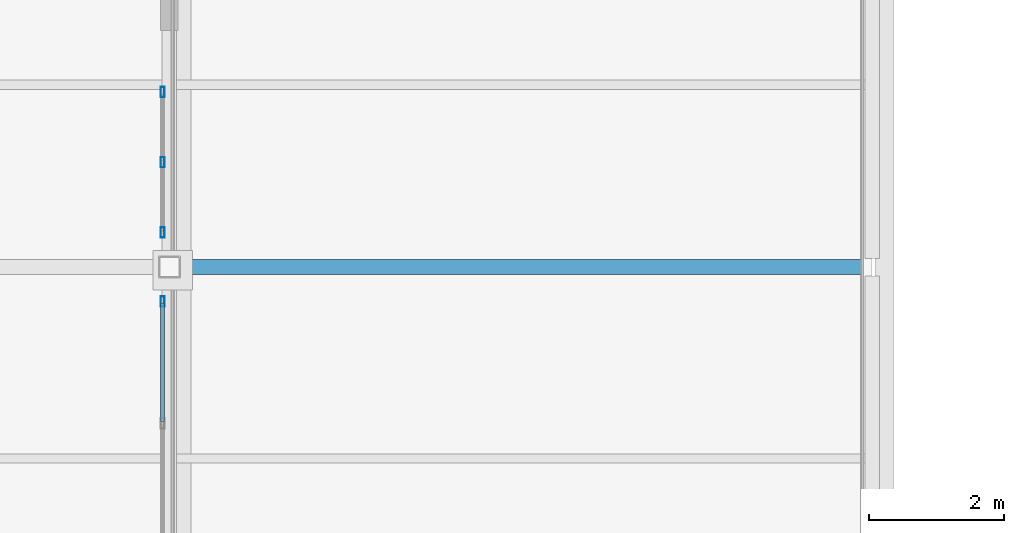
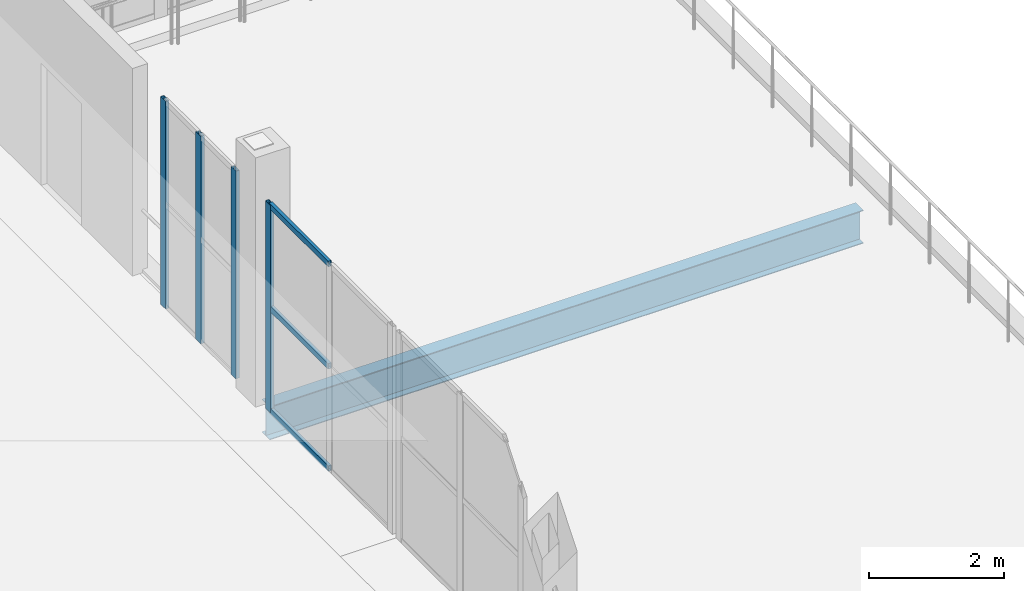
# One storey, part 70 of 156: 7 members, 1 beam, 2 elements without a shape of their own.
"""IFC4 building model written with IfcOpenShell, lengths in metres."""

from ifc_helpers import new_model, si_unit, direction, frame, origin, origin_2d, place, context, subcontext, project, spatial, hollow_rectangle, i_section, extrude, material, material_profile, profile_set, type_object, element, aggregate, save


model = new_model("IFC4")

# Units and contexts
model_context = context("Model", 3, precision=1e-05, world=origin(), true_north=direction((0.0, 1.0)))
body_context = subcontext(model_context, "Body", "Model", "MODEL_VIEW")
ifc_project = project(units=[si_unit("LENGTHUNIT", "METRE"), si_unit("AREAUNIT", "SQUARE_METRE"), si_unit("VOLUMEUNIT", "CUBIC_METRE"), si_unit("PLANEANGLEUNIT", "RADIAN"), si_unit("MASSUNIT", "GRAM", prefix="KILO")], contexts=[model_context])

# Site, building, storey
site_placement = place(None, origin())
site = spatial("IfcSite", under=ifc_project, at=site_placement, CompositionType="ELEMENT")
building_placement = place(site_placement, origin())
building = spatial("IfcBuilding", under=site, at=building_placement, Name="Caurita Quay Ferry Terminal", CompositionType="ELEMENT")
storey_placement = place(building_placement, frame((0.0, 0.0, 5.39990234375)))
storey = spatial("IfcBuildingStorey", under=building, at=storey_placement, Name="L01", CompositionType="ELEMENT", Elevation=5.39990234375)

# Beam
ifc_material_1 = material(Name="Structural steel ASTM A992 Gr. 50", Category="steel")
ifc_material_profile_1 = material_profile(ifc_material_1, i_section(OverallWidth=0.22802734375, OverallDepth=0.60205078125, WebThickness=0.010498046875, FlangeThickness=0.014892578125, at=origin_2d()), Name="W24X68")
ifc_profile_set_1 = profile_set([ifc_material_profile_1], Name="Structural steel ASTM A992 Gr. 50")
beam_type = type_object("IfcBeamType", Name="BM-GR-W24C", PredefinedType="BEAM", material=ifc_profile_set_1)
beam_placement = place(storey_placement, frame((142.929443359375, 25.5, -0.560791015625), z_axis=(1.0, 0.0, 0.0), x_axis=(0.0, 1.0, 0.0)))
element("IfcBeam", 1, at=beam_placement, inside=storey, type_object=beam_type, Name="L01 Beam BM-V3P-L01-X-1429-255", PredefinedType="BEAM", context=body_context, shape_type="SweptSolid", body=[
    extrude(i_section(OverallWidth=0.22802734375, OverallDepth=0.60205078125, WebThickness=0.010498046875, FlangeThickness=0.014892578125, at=origin_2d()), origin(), (0.0, 0.0, 1.0), 10.14111328125),
])

# Curtain wall, member
ifc_material_2 = material(Name="Laminated solar-control insulated glass", Category="glass")
curtain_wall_type_1 = type_object("IfcCurtainWallType", Name="CW-SYS-15", PredefinedType="NOTDEFINED", material=ifc_material_2)
curtain_wall_1_placement = place(storey_placement, origin())
curtain_wall_1 = element("IfcCurtainWall", 2, at=curtain_wall_1_placement, inside=storey, type_object=curtain_wall_type_1, Name="Boarding Gangway Ribbon Curtain Wall 122", PredefinedType="NOTDEFINED")
ifc_material_3 = material(Name="Anodized aluminium 6063-T6", Category="aluminium")
ifc_material_profile_2 = material_profile(ifc_material_3, hollow_rectangle(XDim=0.06005859375, YDim=0.14990234375, WallThickness=0.00341796875, at=origin_2d()), Name="ALU-MUL-60X150")
ifc_profile_set_2 = profile_set([ifc_material_profile_2], Name="Anodized aluminium 6063-T6")
member_type_1 = type_object("IfcMemberType", Name="CW-MUL-150", PredefinedType="MULLION", material=ifc_profile_set_2)
member_1_placement = place(storey_placement, frame((142.699951171875, 24.989990234375, 0.0), z_axis=(0.0, 0.0, 1.0), x_axis=(-1.0, 0.0, 0.0)))
member_1 = element("IfcMember", 3, at=member_1_placement, type_object=member_type_1, Name="CW-BGW-122 Mullion 3", PredefinedType="MULLION", context=body_context, shape_type="SweptSolid", body=[
    extrude(hollow_rectangle(XDim=0.06005859375, YDim=0.14990234375, WallThickness=0.00341796875, at=origin_2d()), origin(), (0.0, 0.0, 1.0), 3.75),
])

# Curtain wall, members
curtain_wall_type_2 = type_object("IfcCurtainWallType", Name="CW-SYS-17", PredefinedType="NOTDEFINED", material=ifc_material_2)
curtain_wall_2_placement = place(storey_placement, origin())
curtain_wall_2 = element("IfcCurtainWall", 4, at=curtain_wall_2_placement, inside=storey, type_object=curtain_wall_type_2, Name="Boarding Gangway Ribbon Curtain Wall 123", PredefinedType="NOTDEFINED")
member_2_placement = place(storey_placement, frame((142.699951171875, 26.010009765625, 0.0), z_axis=(0.0, 0.0, 1.0), x_axis=(-1.0, 0.0, 0.0)))
member_2 = element("IfcMember", 5, at=member_2_placement, type_object=member_type_1, Name="CW-BGW-123 Mullion 1", PredefinedType="MULLION", context=body_context, shape_type="SweptSolid", body=[
    extrude(hollow_rectangle(XDim=0.06005859375, YDim=0.14990234375, WallThickness=0.00341796875, at=origin_2d()), origin(), (0.0, 0.0, 1.0), 3.75),
])
member_3_placement = place(storey_placement, frame((142.699951171875, 27.050048828125, 0.0), z_axis=(0.0, 0.0, 1.0), x_axis=(-1.0, 0.0, 0.0)))
member_3 = element("IfcMember", 6, at=member_3_placement, type_object=member_type_1, Name="CW-BGW-123 Mullion 2", PredefinedType="MULLION", context=body_context, shape_type="SweptSolid", body=[
    extrude(hollow_rectangle(XDim=0.06005859375, YDim=0.14990234375, WallThickness=0.00341796875, at=origin_2d()), origin(), (0.0, 0.0, 1.0), 3.75),
])
member_4_placement = place(storey_placement, frame((142.699951171875, 28.090087890625, 0.0), z_axis=(0.0, 0.0, 1.0), x_axis=(-1.0, 0.0, 0.0)))
member_4 = element("IfcMember", 7, at=member_4_placement, type_object=member_type_1, Name="CW-BGW-123 Mullion 3", PredefinedType="MULLION", context=body_context, shape_type="SweptSolid", body=[
    extrude(hollow_rectangle(XDim=0.06005859375, YDim=0.14990234375, WallThickness=0.00341796875, at=origin_2d()), origin(), (0.0, 0.0, 1.0), 3.75),
])
aggregate(curtain_wall_2, [member_2, member_3, member_4])

# Member
ifc_material_profile_3 = material_profile(ifc_material_3, hollow_rectangle(XDim=0.054931640625, YDim=0.10009765625, WallThickness=0.00341796875, at=origin_2d()), Name="ALU-TRN-55X100")
ifc_profile_set_3 = profile_set([ifc_material_profile_3], Name="Anodized aluminium 6063-T6")
member_type_2 = type_object("IfcMemberType", Name="CW-TRN-100", PredefinedType="USERDEFINED", material=ifc_profile_set_3)
member_5_placement = place(storey_placement, frame((142.699951171875, 23.212890625, 0.027587890625), z_axis=(0.0, 1.0, 0.0), x_axis=(-1.0, 0.0, 0.0)))
member_5 = element("IfcMember", 8, at=member_5_placement, type_object=member_type_2, Name="CW-BGW-122 Transom 4", ObjectType="TRANSOM", PredefinedType="USERDEFINED", context=body_context, shape_type="SweptSolid", body=[
    extrude(hollow_rectangle(XDim=0.054931640625, YDim=0.10009765625, WallThickness=0.00341796875, at=origin_2d()), origin(), (0.0, 0.0, 1.0), 1.7490234375),
])

member_6_placement = place(storey_placement, frame((142.699951171875, 23.212890625, 1.875), z_axis=(0.0, 1.0, 0.0), x_axis=(-1.0, 0.0, 0.0)))
member_6 = element("IfcMember", 9, at=member_6_placement, type_object=member_type_2, Name="CW-BGW-122 Transom 5", ObjectType="TRANSOM", PredefinedType="USERDEFINED", context=body_context, shape_type="SweptSolid", body=[
    extrude(hollow_rectangle(XDim=0.054931640625, YDim=0.10009765625, WallThickness=0.00341796875, at=origin_2d()), origin(), (0.0, 0.0, 1.0), 1.7490234375),
])

member_7_placement = place(storey_placement, frame((142.699951171875, 23.212890625, 3.72265625), z_axis=(0.0, 1.0, 0.0), x_axis=(-1.0, 0.0, 0.0)))
member_7 = element("IfcMember", 10, at=member_7_placement, type_object=member_type_2, Name="CW-BGW-122 Transom 6", ObjectType="TRANSOM", PredefinedType="USERDEFINED", context=body_context, shape_type="SweptSolid", body=[
    extrude(hollow_rectangle(XDim=0.054931640625, YDim=0.10009765625, WallThickness=0.00341796875, at=origin_2d()), origin(), (0.0, 0.0, 1.0), 1.7490234375),
])

aggregate(curtain_wall_1, [member_1, member_5, member_6, member_7])

save(model, "model.ifc")
